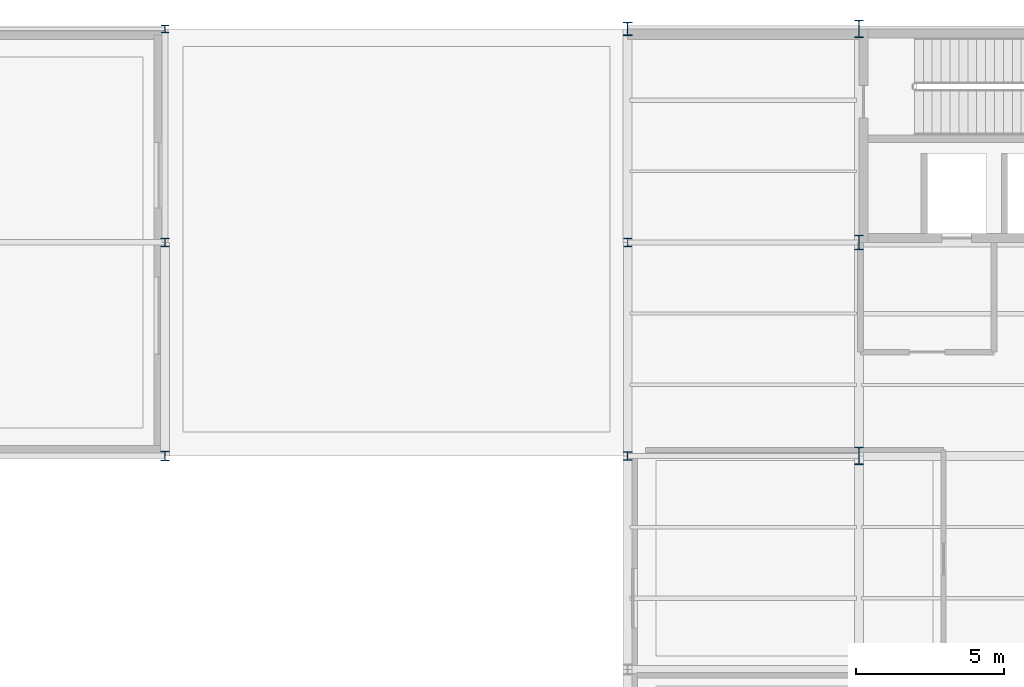
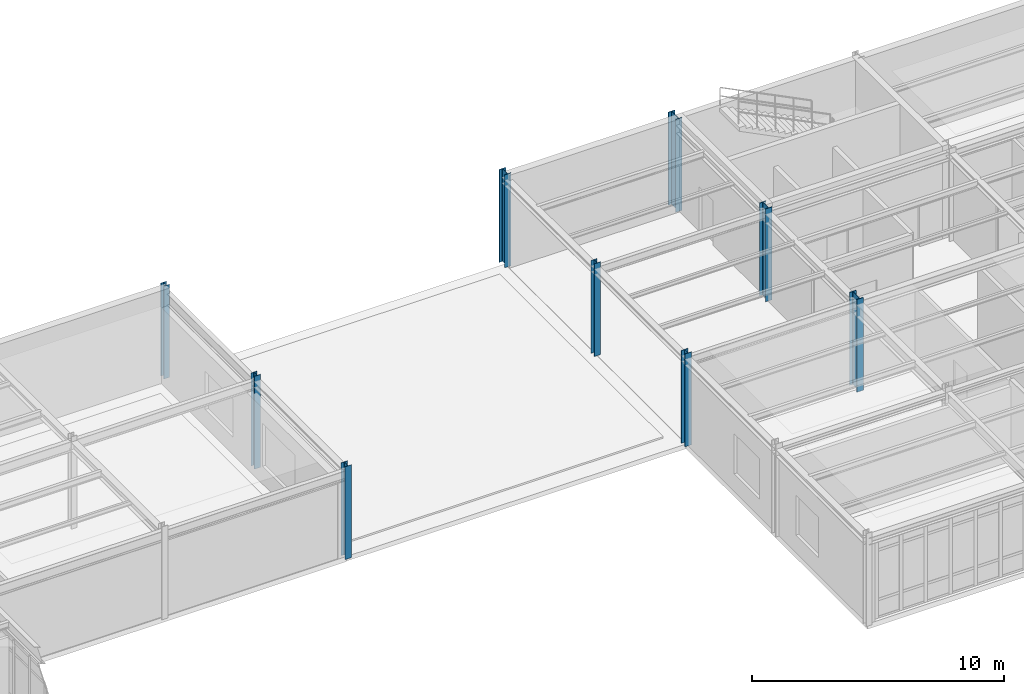
# One storey, part 17 of 106: 9 columns.
"""IFC4 building model written with IfcOpenShell, lengths in metres."""

from ifc_helpers import new_model, si_unit, derived_unit, direction, frame, origin, origin_2d, place, context, subcontext, project, spatial, i_section, extrude, material, material_profile, profile_set, type_object, element, save


model = new_model("IFC4")

# Units and contexts
model_context = context("Model", 3, precision=1e-05, world=origin(), true_north=direction((0.0, 1.0)))
body_context = subcontext(model_context, "Body", "Model", "MODEL_VIEW")
ifc_project = project(units=[si_unit("LENGTHUNIT", "METRE"), si_unit("AREAUNIT", "SQUARE_METRE"), si_unit("VOLUMEUNIT", "CUBIC_METRE"), si_unit("PLANEANGLEUNIT", "RADIAN"), si_unit("MASSUNIT", "GRAM", prefix="KILO"), derived_unit("THERMALTRANSMITTANCEUNIT", [(si_unit("POWERUNIT", "WATT"), 1), (si_unit("AREAUNIT", "SQUARE_METRE"), -1), (si_unit("THERMODYNAMICTEMPERATUREUNIT", "KELVIN"), -1)])], contexts=[model_context])

# Site, building, storey
site_placement = place(None, origin())
site = spatial("IfcSite", under=ifc_project, at=site_placement, CompositionType="ELEMENT")
building_placement = place(site_placement, origin())
building = spatial("IfcBuilding", under=site, at=building_placement, Name="Yasenodar Specialist Clinic", CompositionType="ELEMENT")
storey_placement = place(building_placement, frame((0.0, 0.0, 4.5)))
storey = spatial("IfcBuildingStorey", under=building, at=storey_placement, Name="L01", CompositionType="ELEMENT", Elevation=4.5)

# Columns
ifc_material = material(Name="Steel S355", Category="steel")
ifc_material_profile_1 = material_profile(ifc_material, i_section(OverallWidth=0.300048828125, OverallDepth=0.330078125, WebThickness=0.009521484375, FlangeThickness=0.0166015625, FilletRadius=0.027099609375, at=origin_2d()), Name="HEA 340")
ifc_profile_set_1 = profile_set([ifc_material_profile_1], Name="Steel S355")
column_type_1 = type_object("IfcColumnType", Name="COL-ST-HEA340", PredefinedType="COLUMN", material=ifc_profile_set_1)
column_1_placement = place(storey_placement, frame((33.60009765625, 97.199951171875, 0.0), z_axis=(0.0, 0.0, 1.0), x_axis=(1.0, 0.0, 0.0)))
element("IfcColumn", 1, at=column_1_placement, inside=storey, type_object=column_type_1, Name="L01 Column V4-069", PredefinedType="COLUMN", context=body_context, shape_type="SweptSolid", body=[
    extrude(i_section(OverallWidth=0.300048828125, OverallDepth=0.330078125, WebThickness=0.009521484375, FlangeThickness=0.0166015625, FilletRadius=0.027099609375, at=origin_2d()), origin(), (0.0, 0.0, 1.0), 4.5),
])
ifc_material_profile_2 = material_profile(ifc_material, i_section(OverallWidth=0.260009765625, OverallDepth=0.260009765625, WebThickness=0.010009765625, FlangeThickness=0.017578125, FilletRadius=0.02392578125, at=origin_2d()), Name="HEB 260")
ifc_profile_set_2 = profile_set([ifc_material_profile_2], Name="Steel S355")
column_type_2 = type_object("IfcColumnType", Name="COL-ST-HEB260", PredefinedType="COLUMN", material=ifc_profile_set_2)
column_2_placement = place(storey_placement, frame((33.60009765625, 111.60009765625, 0.0), z_axis=(0.0, 0.0, 1.0), x_axis=(1.0, 0.0, 0.0)))
element("IfcColumn", 2, at=column_2_placement, inside=storey, type_object=column_type_2, Name="L01 Column V4-071", PredefinedType="COLUMN", context=body_context, shape_type="SweptSolid", body=[
    extrude(i_section(OverallWidth=0.260009765625, OverallDepth=0.260009765625, WebThickness=0.010009765625, FlangeThickness=0.017578125, FilletRadius=0.02392578125, at=origin_2d()), origin(), (0.0, 0.0, 1.0), 4.5),
])
ifc_material_profile_3 = material_profile(ifc_material, i_section(OverallWidth=0.280029296875, OverallDepth=0.280029296875, WebThickness=0.010498046875, FlangeThickness=0.01806640625, FilletRadius=0.02392578125, at=origin_2d()), Name="HEB 280")
ifc_profile_set_3 = profile_set([ifc_material_profile_3], Name="Steel S355")
column_type_3 = type_object("IfcColumnType", Name="COL-ST-HEB280", PredefinedType="COLUMN", material=ifc_profile_set_3)
for number, where, z_axis, x_axis, name in (
    (3, (33.60009765625, 104.39990234375, 0.0), (0.0, 0.0, 1.0), (1.0, 0.0, 0.0), "L01 Column V4-070"),
    (4, (49.199951171875, 104.39990234375, 0.0), (0.0, 0.0, 1.0), (1.0, 0.0, 0.0), "L01 Column V5-084"),
):
    element("IfcColumn", number, at=place(storey_placement, frame(where, z_axis=z_axis, x_axis=x_axis)), inside=storey, type_object=column_type_3, Name=name, PredefinedType="COLUMN", context=body_context, shape_type="SweptSolid", body=[
        extrude(i_section(OverallWidth=0.280029296875, OverallDepth=0.280029296875, WebThickness=0.010498046875, FlangeThickness=0.01806640625, FilletRadius=0.02392578125, at=origin_2d()), origin(), (0.0, 0.0, 1.0), 4.5),
    ])
ifc_material_profile_4 = material_profile(ifc_material, i_section(OverallWidth=0.300048828125, OverallDepth=0.300048828125, WebThickness=0.010986328125, FlangeThickness=0.01904296875, FilletRadius=0.027099609375, at=origin_2d()), Name="HEB 300")
ifc_profile_set_4 = profile_set([ifc_material_profile_4], Name="Steel S355")
column_type_4 = type_object("IfcColumnType", Name="COL-ST-HEB300", PredefinedType="COLUMN", material=ifc_profile_set_4)
column_3_placement = place(storey_placement, frame((49.199951171875, 97.199951171875, 0.0), z_axis=(0.0, 0.0, 1.0), x_axis=(1.0, 0.0, 0.0)))
element("IfcColumn", 5, at=column_3_placement, inside=storey, type_object=column_type_4, Name="L01 Column V5-083", PredefinedType="COLUMN", context=body_context, shape_type="SweptSolid", body=[
    extrude(i_section(OverallWidth=0.300048828125, OverallDepth=0.300048828125, WebThickness=0.010986328125, FlangeThickness=0.01904296875, FilletRadius=0.027099609375, at=origin_2d()), origin(), (0.0, 0.0, 1.0), 4.5),
])
ifc_material_profile_5 = material_profile(ifc_material, i_section(OverallWidth=0.300048828125, OverallDepth=0.449951171875, WebThickness=0.013916015625, FlangeThickness=0.02587890625, FilletRadius=0.027099609375, at=origin_2d()), Name="HEB 450")
ifc_profile_set_5 = profile_set([ifc_material_profile_5], Name="Steel S355")
column_type_5 = type_object("IfcColumnType", Name="COL-ST-HEB450", PredefinedType="COLUMN", material=ifc_profile_set_5)
column_4_placement = place(storey_placement, frame((49.199951171875, 111.60009765625, 0.0), z_axis=(0.0, 0.0, 1.0), x_axis=(1.0, 0.0, 0.0)))
element("IfcColumn", 6, at=column_4_placement, inside=storey, type_object=column_type_5, Name="L01 Column V5-085", PredefinedType="COLUMN", context=body_context, shape_type="SweptSolid", body=[
    extrude(i_section(OverallWidth=0.300048828125, OverallDepth=0.449951171875, WebThickness=0.013916015625, FlangeThickness=0.02587890625, FilletRadius=0.027099609375, at=origin_2d()), origin(), (0.0, 0.0, 1.0), 4.5),
])
ifc_material_profile_6 = material_profile(ifc_material, i_section(OverallWidth=0.300048828125, OverallDepth=0.5, WebThickness=0.014404296875, FlangeThickness=0.028076171875, FilletRadius=0.027099609375, at=origin_2d()), Name="HEB 500")
ifc_profile_set_6 = profile_set([ifc_material_profile_6], Name="Steel S355")
column_type_6 = type_object("IfcColumnType", Name="COL-ST-HEB500", PredefinedType="COLUMN", material=ifc_profile_set_6)
column_5_placement = place(storey_placement, frame((57.0, 104.39990234375, 0.0), z_axis=(0.0, 0.0, 1.0), x_axis=(1.0, 0.0, 0.0)))
element("IfcColumn", 7, at=column_5_placement, inside=storey, type_object=column_type_6, Name="L01 Column V5-091", PredefinedType="COLUMN", context=body_context, shape_type="SweptSolid", body=[
    extrude(i_section(OverallWidth=0.300048828125, OverallDepth=0.5, WebThickness=0.014404296875, FlangeThickness=0.028076171875, FilletRadius=0.027099609375, at=origin_2d()), origin(), (0.0, 0.0, 1.0), 4.5),
])
ifc_material_profile_7 = material_profile(ifc_material, i_section(OverallWidth=0.300048828125, OverallDepth=0.60009765625, WebThickness=0.015380859375, FlangeThickness=0.030029296875, FilletRadius=0.027099609375, at=origin_2d()), Name="HEB 600")
ifc_profile_set_7 = profile_set([ifc_material_profile_7], Name="Steel S355")
column_type_7 = type_object("IfcColumnType", Name="COL-ST-HEB600", PredefinedType="COLUMN", material=ifc_profile_set_7)
for number, where, z_axis, x_axis, name in (
    (8, (57.0, 97.199951171875, 0.0), (0.0, 0.0, 1.0), (1.0, 0.0, 0.0), "L01 Column V5-090"),
    (9, (57.0, 111.60009765625, 0.0), (0.0, 0.0, 1.0), (1.0, 0.0, 0.0), "L01 Column V5-092"),
):
    element("IfcColumn", number, at=place(storey_placement, frame(where, z_axis=z_axis, x_axis=x_axis)), inside=storey, type_object=column_type_7, Name=name, PredefinedType="COLUMN", context=body_context, shape_type="SweptSolid", body=[
        extrude(i_section(OverallWidth=0.300048828125, OverallDepth=0.60009765625, WebThickness=0.015380859375, FlangeThickness=0.030029296875, FilletRadius=0.027099609375, at=origin_2d()), origin(), (0.0, 0.0, 1.0), 4.5),
    ])

save(model, "model.ifc")
